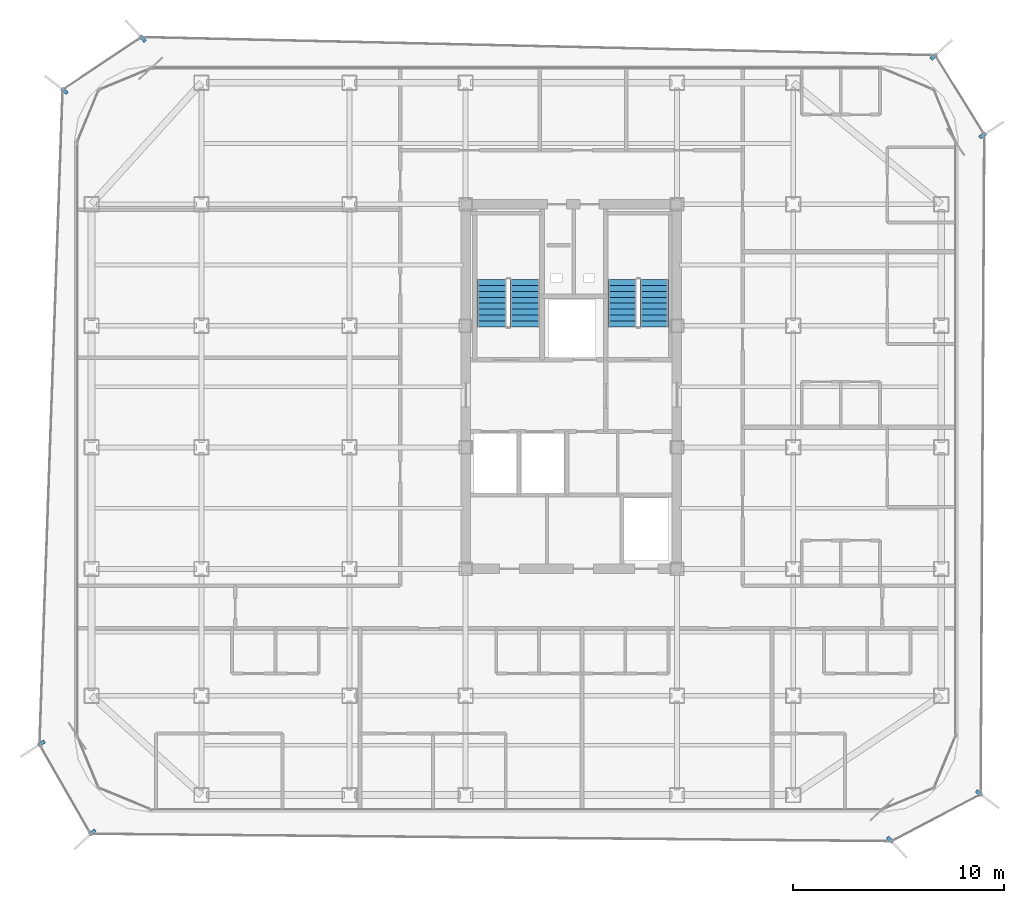
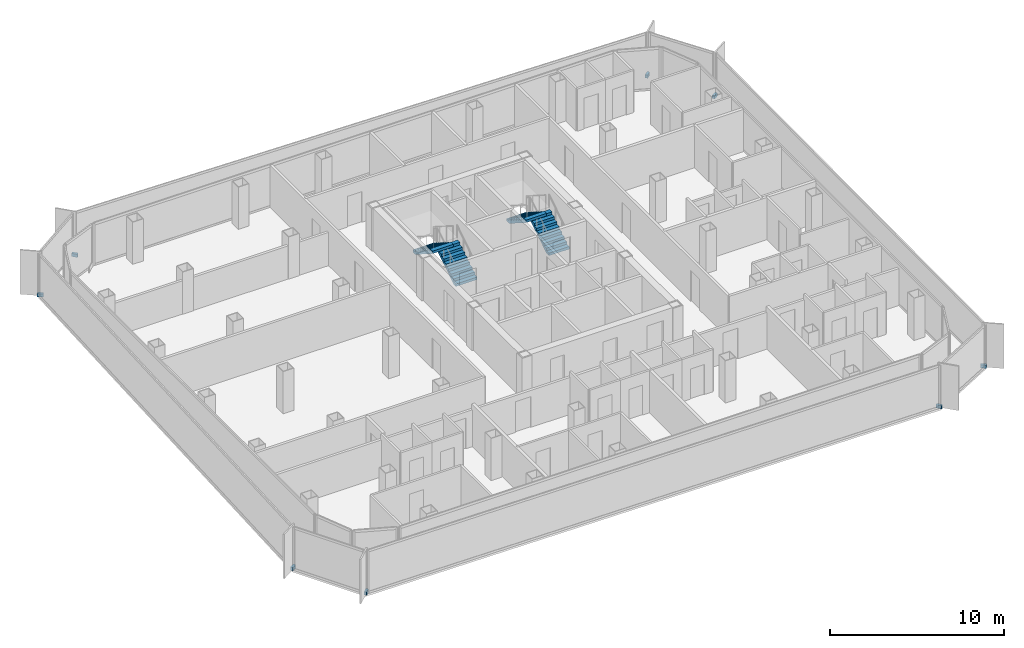
# One storey, part 13 of 16: 8 discrete accessories, 4 stair flights, 2 elements without a shape of their own.
"""IFC4 building model written with IfcOpenShell, lengths in metres."""

from ifc_helpers import new_model, si_unit, direction, frame, origin, origin_2d, place, context, subcontext, project, spatial, polyline, rectangle, outline, extrude, source, transform, mapped, material, layer, layer_set, type_object, element, aggregate, save


model = new_model("IFC4")

# Units and contexts
model_context = context("Model", 3, precision=1e-05, world=origin(), true_north=direction((0.0, 1.0)))
body_context = subcontext(model_context, "Body", "Model", "MODEL_VIEW")
ifc_project = project(units=[si_unit("LENGTHUNIT", "METRE"), si_unit("AREAUNIT", "SQUARE_METRE"), si_unit("VOLUMEUNIT", "CUBIC_METRE"), si_unit("PLANEANGLEUNIT", "RADIAN"), si_unit("MASSUNIT", "GRAM", prefix="KILO")], contexts=[model_context])

# Site, building, storey
site_placement = place(None, origin())
site = spatial("IfcSite", under=ifc_project, at=site_placement, CompositionType="ELEMENT")
building_placement = place(site_placement, origin())
building = spatial("IfcBuilding", under=site, at=building_placement, Name="Kolveth Station Tower", CompositionType="ELEMENT")
storey_placement = place(building_placement, frame((0.0, 0.0, 178.5)))
storey = spatial("IfcBuildingStorey", under=building, at=storey_placement, Name="L50", CompositionType="ELEMENT", Elevation=178.5)

# Stair, stair flights
ifc_material_1 = material(Name="Concrete C40/50", Category="concrete")
stair_type_1 = type_object("IfcStairType", Name="Stair_ST1", PredefinedType="HALF_TURN_STAIR", material=ifc_material_1)
stair_1_placement = place(storey_placement, origin())
stair_1 = element("IfcStair", 1, at=stair_1_placement, inside=storey, type_object=stair_type_1, Name="L50 Tower Exit Stair ST1", PredefinedType="HALF_TURN_STAIR")
ifc_layer_1 = layer(ifc_material_1, 0.179931640625)
ifc_layer_set_1 = layer_set([ifc_layer_1], Name="Concrete C40/50")
stair_flight_type_1 = type_object("IfcStairFlightType", Name="Flight_ST1", PredefinedType="STRAIGHT", material=ifc_layer_set_1)
stair_flight_1_placement = place(storey_placement, frame((21.300048828125, 22.949951171875, 0.0), z_axis=(0.0, 0.0, 1.0), x_axis=(0.0, 1.0, 0.0)))
stair_flight_1 = element("IfcStairFlight", 2, at=stair_flight_1_placement, type_object=stair_flight_type_1, Name="ST1 flight 1", NumberOfRisers=9, NumberOfTreads=8, PredefinedType="STRAIGHT", RiserHeight=0.177777778, TreadLength=0.28, context=body_context, shape_type="SweptSolid", body=[
    extrude(outline(polyline([(0.0, 0.0), (0.0, 0.177734375), (0.280029296875, 0.177734375), (0.280029296875, 0.35546875), (0.56005859375, 0.35546875), (0.56005859375, 0.533447265625), (0.840087890625, 0.533447265625), (0.840087890625, 0.711181640625), (1.1201171875, 0.711181640625), (1.1201171875, 0.888916015625), (1.39990234375, 0.888916015625), (1.39990234375, 1.066650390625), (1.679931640625, 1.066650390625), (1.679931640625, 1.244384765625), (1.9599609375, 1.244384765625), (1.9599609375, 1.422119140625), (2.239990234375, 1.422119140625), (2.239990234375, 1.60009765625), (2.239990234375, 1.24462890625), (0.27978515625, 0.0), (0.0, 0.0)])), frame((0.0, 0.699951171875, 0.0), z_axis=(0.0, -1.0, 0.0), x_axis=(1.0, 0.0, 0.0)), (0.0, 0.0, 1.0), 1.39990234375),
])
stair_flight_2_placement = place(storey_placement, frame((19.739990234375, 25.18994140625, 1.60009765625), z_axis=(0.0, 0.0, 1.0), x_axis=(0.0, -1.0, 0.0)))
stair_flight_2 = element("IfcStairFlight", 3, at=stair_flight_2_placement, type_object=stair_flight_type_1, Name="ST1 flight 2", NumberOfRisers=9, NumberOfTreads=8, PredefinedType="STRAIGHT", RiserHeight=0.177777778, TreadLength=0.28, context=body_context, shape_type="SweptSolid", body=[
    extrude(outline(polyline([(0.0, 0.0), (0.0, 0.177734375), (0.280029296875, 0.177734375), (0.280029296875, 0.35546875), (0.56005859375, 0.35546875), (0.56005859375, 0.533447265625), (0.840087890625, 0.533447265625), (0.840087890625, 0.711181640625), (1.1201171875, 0.711181640625), (1.1201171875, 0.888916015625), (1.39990234375, 0.888916015625), (1.39990234375, 1.066650390625), (1.679931640625, 1.066650390625), (1.679931640625, 1.244384765625), (1.9599609375, 1.244384765625), (1.9599609375, 1.422119140625), (2.239990234375, 1.422119140625), (2.239990234375, 1.60009765625), (2.239990234375, 1.24462890625), (0.27978515625, 0.0), (0.0, 0.0)])), frame((0.0, 0.699951171875, 0.0), z_axis=(0.0, -1.0, 0.0), x_axis=(1.0, 0.0, 0.0)), (0.0, 0.0, 1.0), 1.39990234375),
])
aggregate(stair_1, [stair_flight_1, stair_flight_2])

stair_type_2 = type_object("IfcStairType", Name="Stair_ST2", PredefinedType="HALF_TURN_STAIR", material=ifc_material_1)
stair_2_placement = place(storey_placement, origin())
stair_2 = element("IfcStair", 4, at=stair_2_placement, inside=storey, type_object=stair_type_2, Name="L50 Tower Exit Stair ST2", PredefinedType="HALF_TURN_STAIR")
ifc_layer_2 = layer(ifc_material_1, 0.179931640625)
ifc_layer_set_2 = layer_set([ifc_layer_2], Name="Concrete C40/50")
stair_flight_type_2 = type_object("IfcStairFlightType", Name="Flight_ST2", PredefinedType="STRAIGHT", material=ifc_layer_set_2)
stair_flight_3_placement = place(storey_placement, frame((27.425048828125, 22.949951171875, 0.0), z_axis=(0.0, 0.0, 1.0), x_axis=(0.0, 1.0, 0.0)))
stair_flight_3 = element("IfcStairFlight", 5, at=stair_flight_3_placement, type_object=stair_flight_type_2, Name="ST2 flight 1", NumberOfRisers=9, NumberOfTreads=8, PredefinedType="STRAIGHT", RiserHeight=0.177777778, TreadLength=0.28, context=body_context, shape_type="SweptSolid", body=[
    extrude(outline(polyline([(0.0, 0.0), (0.0, 0.177734375), (0.280029296875, 0.177734375), (0.280029296875, 0.35546875), (0.56005859375, 0.35546875), (0.56005859375, 0.533447265625), (0.840087890625, 0.533447265625), (0.840087890625, 0.711181640625), (1.1201171875, 0.711181640625), (1.1201171875, 0.888916015625), (1.39990234375, 0.888916015625), (1.39990234375, 1.066650390625), (1.679931640625, 1.066650390625), (1.679931640625, 1.244384765625), (1.9599609375, 1.244384765625), (1.9599609375, 1.422119140625), (2.239990234375, 1.422119140625), (2.239990234375, 1.60009765625), (2.239990234375, 1.24462890625), (0.27978515625, 0.0), (0.0, 0.0)])), frame((0.0, 0.675048828125, 0.0), z_axis=(0.0, -1.0, 0.0), x_axis=(1.0, 0.0, 0.0)), (0.0, 0.0, 1.0), 1.35009765625),
])
stair_flight_4_placement = place(storey_placement, frame((25.9150390625, 25.18994140625, 1.60009765625), z_axis=(0.0, 0.0, 1.0), x_axis=(0.0, -1.0, 0.0)))
stair_flight_4 = element("IfcStairFlight", 6, at=stair_flight_4_placement, type_object=stair_flight_type_2, Name="ST2 flight 2", NumberOfRisers=9, NumberOfTreads=8, PredefinedType="STRAIGHT", RiserHeight=0.177777778, TreadLength=0.28, context=body_context, shape_type="SweptSolid", body=[
    extrude(outline(polyline([(0.0, 0.0), (0.0, 0.177734375), (0.280029296875, 0.177734375), (0.280029296875, 0.35546875), (0.56005859375, 0.35546875), (0.56005859375, 0.533447265625), (0.840087890625, 0.533447265625), (0.840087890625, 0.711181640625), (1.1201171875, 0.711181640625), (1.1201171875, 0.888916015625), (1.39990234375, 0.888916015625), (1.39990234375, 1.066650390625), (1.679931640625, 1.066650390625), (1.679931640625, 1.244384765625), (1.9599609375, 1.244384765625), (1.9599609375, 1.422119140625), (2.239990234375, 1.422119140625), (2.239990234375, 1.60009765625), (2.239990234375, 1.24462890625), (0.27978515625, 0.0), (0.0, 0.0)])), frame((0.0, 0.675048828125, 0.0), z_axis=(0.0, -1.0, 0.0), x_axis=(1.0, 0.0, 0.0)), (0.0, 0.0, 1.0), 1.35009765625),
])
aggregate(stair_2, [stair_flight_3, stair_flight_4])

# Discrete accessories
ifc_material_2 = material(Name="Steel S355", Category="steel")
discrete_accessory_type = type_object("IfcDiscreteAccessoryType", Name="Bracket_BK1", PredefinedType="BRACKET", material=ifc_material_2)
shared_shape = source(origin(), body_context, "Body", "SweptSolid", [
    extrude(rectangle(XDim=0.35009765625, YDim=0.159912109375, at=origin_2d()), origin(), (0.0, 0.0, 1.0), 0.219970703125),
])
for number, where, z_axis, x_axis, name in (
    (7, (38.577880859375, -1.31396484375, -0.06005859375), (0.0, 0.0, 1.0), (0.681870704375, -0.731472721648, 0.0), "L50 Double-Skin Radial Tie Bracket 1"),
    (8, (42.7958984375, 0.89404296875, -0.06005859375), (0.0, 0.0, 1.0), (0.794202557977, -0.607653105729, 0.0), "L50 Double-Skin Radial Tie Bracket 2"),
    (9, (42.9619140625, 32.0048828125, -0.06005859375), (0.0, 0.0, 1.0), (0.838194961444, 0.545370705676, 0.0), "L50 Double-Skin Radial Tie Bracket 3"),
    (10, (40.64794921875, 35.72900390625, -0.06005859375), (0.0, 0.0, 1.0), (0.737630973935, 0.675204077514, 0.0), "L50 Double-Skin Radial Tie Bracket 4"),
    (11, (3.22607421875, 36.5791015625, -0.06005859375), (0.0, 0.0, 1.0), (-0.682508775026, 0.730877398756, 0.0), "L50 Double-Skin Radial Tie Bracket 5"),
    (12, (-0.47998046875, 34.10888671875, -0.06005859375), (0.0, 0.0, 1.0), (-0.792396121708, 0.61000687398, 0.0), "L50 Double-Skin Radial Tie Bracket 6"),
    (13, (-1.570068359375, 3.242919921875, -0.06005859375), (0.0, 0.0, 1.0), (-0.84179353575, -0.539799632428, 0.0), "L50 Double-Skin Radial Tie Bracket 7"),
    (14, (0.842041015625, -0.970947265625, -0.06005859375), (0.0, 0.0, 1.0), (-0.732899222969, -0.6803372171, 0.0), "L50 Double-Skin Radial Tie Bracket 8"),
):
    element("IfcDiscreteAccessory", number, at=place(storey_placement, frame(where, z_axis=z_axis, x_axis=x_axis)), inside=storey, type_object=discrete_accessory_type, Name=name, PredefinedType="BRACKET", context=body_context, shape_type="MappedRepresentation", body=[
        mapped(shared_shape, transform((0.0, 0.0, 0.0), x_axis=(1.0, 0.0, 0.0), y_axis=(0.0, 1.0, 0.0), z_axis=(0.0, 0.0, 1.0), scale=1.0)),
    ])

save(model, "model.ifc")
